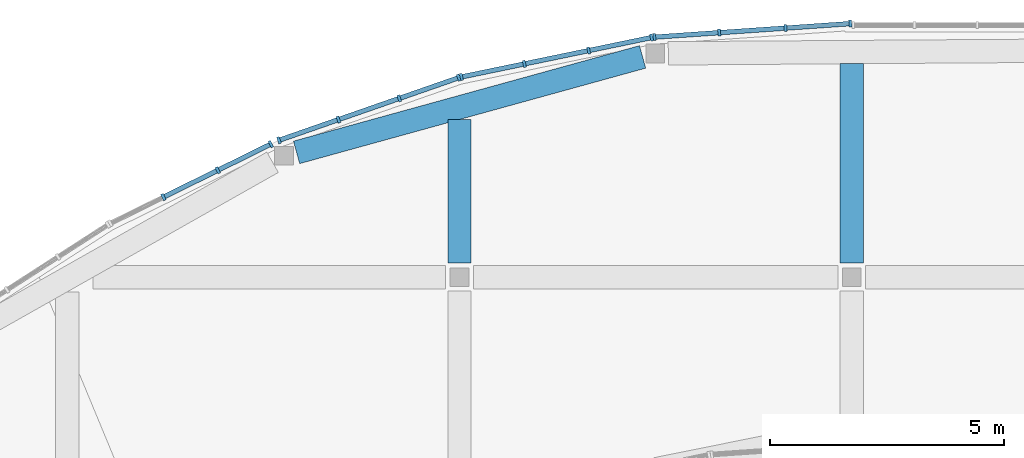
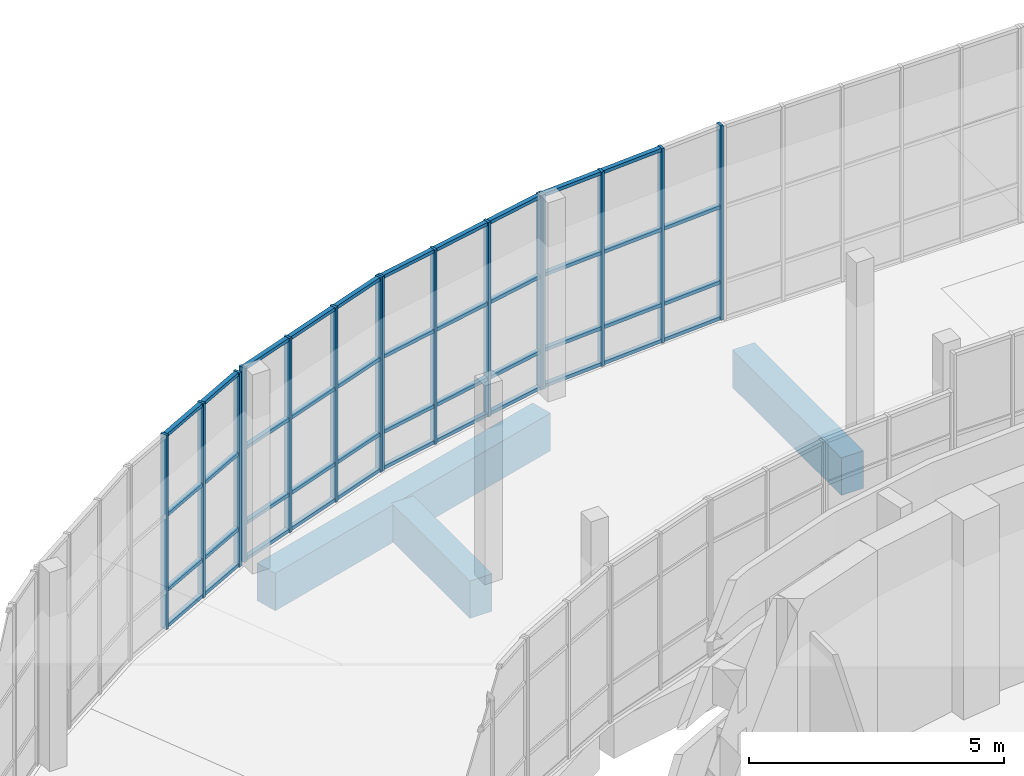
# One storey, part 30 of 103: 58 members, 3 beams, 4 elements without a shape of their own.
"""IFC4 building model written with IfcOpenShell, lengths in metres."""

from ifc_helpers import new_model, si_unit, direction, frame, origin, origin_2d, place, context, subcontext, project, spatial, rectangle, extrude, material, layer, layer_set, material_profile, profile_set, type_object, element, aggregate, save


model = new_model("IFC4")

# Units and contexts
model_context = context("Model", 3, precision=1e-05, world=origin(), true_north=direction((0.0, 1.0)))
body_context = subcontext(model_context, "Body", "Model", "MODEL_VIEW")
ifc_project = project(units=[si_unit("LENGTHUNIT", "METRE"), si_unit("AREAUNIT", "SQUARE_METRE"), si_unit("VOLUMEUNIT", "CUBIC_METRE"), si_unit("PLANEANGLEUNIT", "RADIAN"), si_unit("MASSUNIT", "GRAM", prefix="KILO")], contexts=[model_context])

# Site, building, storey
site_placement = place(None, origin())
site = spatial("IfcSite", under=ifc_project, at=site_placement, CompositionType="ELEMENT")
building_placement = place(site_placement, origin())
building = spatial("IfcBuilding", under=site, at=building_placement, Name="Larchfold Concert Hall", CompositionType="ELEMENT")
storey_placement = place(building_placement, frame((0.0, 0.0, 9.60009765625)))
storey = spatial("IfcBuildingStorey", under=building, at=storey_placement, Name="L02", CompositionType="ELEMENT", Elevation=9.60009765625)

# Curtain wall, members
ifc_material_1 = material(Name="Anodised graphite aluminium curtain wall", Category="aluminium")
ifc_layer = layer(ifc_material_1, 0.14990234375)
ifc_layer_set = layer_set([ifc_layer], Name="Anodised graphite aluminium curtain wall")
curtain_wall_type = type_object("IfcCurtainWallType", Name="Curtain wall WG", PredefinedType="NOTDEFINED", material=ifc_layer_set)
curtain_wall_1_placement = place(storey_placement, origin())
curtain_wall_1 = element("IfcCurtainWall", 1, at=curtain_wall_1_placement, inside=storey, type_object=curtain_wall_type, Name="Curtain wall CW0255", PredefinedType="NOTDEFINED")
ifc_material_2 = material(Name="Anodised graphite aluminium mullion", Category="aluminium")
ifc_material_profile_1 = material_profile(ifc_material_2, rectangle(XDim=0.14990234375, YDim=0.06005859375, at=origin_2d()))
ifc_profile_set_1 = profile_set([ifc_material_profile_1], Name="Anodised graphite aluminium mullion")
member_type_1 = type_object("IfcMemberType", Name="Aluminium mullion 60x150", PredefinedType="MULLION", material=ifc_profile_set_1)
member_1_placement = place(storey_placement, frame((42.570068359375, 132.030029296875, 0.0), z_axis=(0.0, 0.0, 1.0), x_axis=(0.068786379634, -0.997631411884, 0.0)))
member_1 = element("IfcMember", 2, at=member_1_placement, type_object=member_type_1, Name="CW0255 mullion 1", PredefinedType="MULLION", context=body_context, shape_type="SweptSolid", body=[
    extrude(rectangle(XDim=0.14990234375, YDim=0.06005859375, at=origin_2d()), origin(), (0.0, 0.0, 1.0), 4.64990234375),
])
member_2_placement = place(storey_placement, frame((41.181396484375, 131.93408203125, 0.0), z_axis=(0.0, 0.0, 1.0), x_axis=(0.068786379634, -0.997631411884, 0.0)))
member_2 = element("IfcMember", 3, at=member_2_placement, type_object=member_type_1, Name="CW0255 mullion 2", PredefinedType="MULLION", context=body_context, shape_type="SweptSolid", body=[
    extrude(rectangle(XDim=0.14990234375, YDim=0.06005859375, at=origin_2d()), origin(), (0.0, 0.0, 1.0), 4.64990234375),
])
member_3_placement = place(storey_placement, frame((39.7626953125, 131.83642578125, 0.0), z_axis=(0.0, 0.0, 1.0), x_axis=(0.068786379634, -0.997631411884, 0.0)))
member_3 = element("IfcMember", 4, at=member_3_placement, type_object=member_type_1, Name="CW0255 mullion 3", PredefinedType="MULLION", context=body_context, shape_type="SweptSolid", body=[
    extrude(rectangle(XDim=0.14990234375, YDim=0.06005859375, at=origin_2d()), origin(), (0.0, 0.0, 1.0), 4.64990234375),
])
member_4_placement = place(storey_placement, frame((38.3740234375, 131.740478515625, 0.0), z_axis=(0.0, 0.0, 1.0), x_axis=(0.068786379634, -0.997631411884, 0.0)))
member_4 = element("IfcMember", 5, at=member_4_placement, type_object=member_type_1, Name="CW0255 mullion 4", PredefinedType="MULLION", context=body_context, shape_type="SweptSolid", body=[
    extrude(rectangle(XDim=0.14990234375, YDim=0.06005859375, at=origin_2d()), origin(), (0.0, 0.0, 1.0), 4.64990234375),
])

curtain_wall_2_placement = place(storey_placement, origin())
curtain_wall_2 = element("IfcCurtainWall", 6, at=curtain_wall_2_placement, inside=storey, type_object=curtain_wall_type, Name="Curtain wall CW0256", PredefinedType="NOTDEFINED")
member_5_placement = place(storey_placement, frame((38.314697265625, 131.732421875, 0.0), z_axis=(0.0, 0.0, 1.0), x_axis=(0.203055255961, -0.979167280411, 0.0)))
member_5 = element("IfcMember", 7, at=member_5_placement, type_object=member_type_1, Name="CW0256 mullion 1", PredefinedType="MULLION", context=body_context, shape_type="SweptSolid", body=[
    extrude(rectangle(XDim=0.14990234375, YDim=0.06005859375, at=origin_2d()), origin(), (0.0, 0.0, 1.0), 4.64990234375),
])
member_6_placement = place(storey_placement, frame((36.967041015625, 131.452880859375, 0.0), z_axis=(0.0, 0.0, 1.0), x_axis=(0.203055255961, -0.979167280411, 0.0)))
member_6 = element("IfcMember", 8, at=member_6_placement, type_object=member_type_1, Name="CW0256 mullion 2", PredefinedType="MULLION", context=body_context, shape_type="SweptSolid", body=[
    extrude(rectangle(XDim=0.14990234375, YDim=0.06005859375, at=origin_2d()), origin(), (0.0, 0.0, 1.0), 4.64990234375),
])
member_7_placement = place(storey_placement, frame((35.58984375, 131.16748046875, 0.0), z_axis=(0.0, 0.0, 1.0), x_axis=(0.203055255961, -0.979167280411, 0.0)))
member_7 = element("IfcMember", 9, at=member_7_placement, type_object=member_type_1, Name="CW0256 mullion 3", PredefinedType="MULLION", context=body_context, shape_type="SweptSolid", body=[
    extrude(rectangle(XDim=0.14990234375, YDim=0.06005859375, at=origin_2d()), origin(), (0.0, 0.0, 1.0), 4.64990234375),
])
member_8_placement = place(storey_placement, frame((34.2421875, 130.887939453125, 0.0), z_axis=(0.0, 0.0, 1.0), x_axis=(0.203055255961, -0.979167280411, 0.0)))
member_8 = element("IfcMember", 10, at=member_8_placement, type_object=member_type_1, Name="CW0256 mullion 4", PredefinedType="MULLION", context=body_context, shape_type="SweptSolid", body=[
    extrude(rectangle(XDim=0.14990234375, YDim=0.06005859375, at=origin_2d()), origin(), (0.0, 0.0, 1.0), 4.64990234375),
])

curtain_wall_3_placement = place(storey_placement, origin())
curtain_wall_3 = element("IfcCurtainWall", 11, at=curtain_wall_3_placement, inside=storey, type_object=curtain_wall_type, Name="Curtain wall CW0257", PredefinedType="NOTDEFINED")
member_9_placement = place(storey_placement, frame((34.1845703125, 130.8720703125, 0.0), z_axis=(0.0, 0.0, 1.0), x_axis=(0.328898419395, -0.944365305229, 0.0)))
member_9 = element("IfcMember", 12, at=member_9_placement, type_object=member_type_1, Name="CW0257 mullion 1", PredefinedType="MULLION", context=body_context, shape_type="SweptSolid", body=[
    extrude(rectangle(XDim=0.14990234375, YDim=0.06005859375, at=origin_2d()), origin(), (0.0, 0.0, 1.0), 4.64990234375),
])
member_10_placement = place(storey_placement, frame((32.9111328125, 130.428466796875, 0.0), z_axis=(0.0, 0.0, 1.0), x_axis=(0.328898419395, -0.944365305229, 0.0)))
member_10 = element("IfcMember", 13, at=member_10_placement, type_object=member_type_1, Name="CW0257 mullion 2", PredefinedType="MULLION", context=body_context, shape_type="SweptSolid", body=[
    extrude(rectangle(XDim=0.14990234375, YDim=0.06005859375, at=origin_2d()), origin(), (0.0, 0.0, 1.0), 4.64990234375),
])
member_11_placement = place(storey_placement, frame((31.609375, 129.97509765625, 0.0), z_axis=(0.0, 0.0, 1.0), x_axis=(0.328898419395, -0.944365305229, 0.0)))
member_11 = element("IfcMember", 14, at=member_11_placement, type_object=member_type_1, Name="CW0257 mullion 3", PredefinedType="MULLION", context=body_context, shape_type="SweptSolid", body=[
    extrude(rectangle(XDim=0.14990234375, YDim=0.06005859375, at=origin_2d()), origin(), (0.0, 0.0, 1.0), 4.64990234375),
])
member_12_placement = place(storey_placement, frame((30.3359375, 129.531494140625, 0.0), z_axis=(0.0, 0.0, 1.0), x_axis=(0.328898419395, -0.944365305229, 0.0)))
member_12 = element("IfcMember", 15, at=member_12_placement, type_object=member_type_1, Name="CW0257 mullion 4", PredefinedType="MULLION", context=body_context, shape_type="SweptSolid", body=[
    extrude(rectangle(XDim=0.14990234375, YDim=0.06005859375, at=origin_2d()), origin(), (0.0, 0.0, 1.0), 4.64990234375),
])

curtain_wall_4_placement = place(storey_placement, origin())
curtain_wall_4 = element("IfcCurtainWall", 16, at=curtain_wall_4_placement, inside=storey, type_object=curtain_wall_type, Name="Curtain wall CW0258", PredefinedType="NOTDEFINED")
member_13_placement = place(storey_placement, frame((30.161376953125, 129.44970703125, 0.0), z_axis=(0.0, 0.0, 1.0), x_axis=(0.442389932773, -0.896822807126, 0.0)))
member_13 = element("IfcMember", 17, at=member_13_placement, type_object=member_type_1, Name="CW0258 mullion 1", PredefinedType="MULLION", context=body_context, shape_type="SweptSolid", body=[
    extrude(rectangle(XDim=0.14990234375, YDim=0.06005859375, at=origin_2d()), origin(), (0.0, 0.0, 1.0), 4.64990234375),
])
member_14_placement = place(storey_placement, frame((29.024658203125, 128.888916015625, 0.0), z_axis=(0.0, 0.0, 1.0), x_axis=(0.442389932773, -0.896822807126, 0.0)))
member_14 = element("IfcMember", 18, at=member_14_placement, type_object=member_type_1, Name="CW0258 mullion 2", PredefinedType="MULLION", context=body_context, shape_type="SweptSolid", body=[
    extrude(rectangle(XDim=0.14990234375, YDim=0.06005859375, at=origin_2d()), origin(), (0.0, 0.0, 1.0), 4.64990234375),
])
member_15_placement = place(storey_placement, frame((27.861083984375, 128.31494140625, 0.0), z_axis=(0.0, 0.0, 1.0), x_axis=(0.442389932773, -0.896822807126, 0.0)))
member_15 = element("IfcMember", 19, at=member_15_placement, type_object=member_type_1, Name="CW0258 mullion 3", PredefinedType="MULLION", context=body_context, shape_type="SweptSolid", body=[
    extrude(rectangle(XDim=0.14990234375, YDim=0.06005859375, at=origin_2d()), origin(), (0.0, 0.0, 1.0), 4.64990234375),
])

# Member
ifc_material_3 = material(Name="Anodised graphite aluminium transom", Category="aluminium")
ifc_material_profile_2 = material_profile(ifc_material_3, rectangle(XDim=0.10009765625, YDim=0.080078125, at=origin_2d()))
ifc_profile_set_2 = profile_set([ifc_material_profile_2], Name="Anodised graphite aluminium transom")
member_type_2 = type_object("IfcMemberType", Name="Aluminium transom 80x100", PredefinedType="USERDEFINED", material=ifc_profile_set_2)
member_16_placement = place(storey_placement, frame((42.540283203125, 132.02783203125, 0.0400390625), z_axis=(-0.997635098012, -0.068732897622, 0.0), x_axis=(0.068732897622, -0.997635098012, 0.0)))
member_16 = element("IfcMember", 20, at=member_16_placement, type_object=member_type_2, Name="CW0255 transom 1.1", ObjectType="TRANSOM", PredefinedType="USERDEFINED", context=body_context, shape_type="SweptSolid", body=[
    extrude(rectangle(XDim=0.10009765625, YDim=0.080078125, at=origin_2d()), origin(), (0.0, 0.0, 1.0), 1.33203125),
])

member_17_placement = place(storey_placement, frame((42.540283203125, 132.02783203125, 0.89990234375), z_axis=(-0.997635098012, -0.068732897622, 0.0), x_axis=(0.068732897622, -0.997635098012, 0.0)))
member_17 = element("IfcMember", 21, at=member_17_placement, type_object=member_type_2, Name="CW0255 transom 1.2", ObjectType="TRANSOM", PredefinedType="USERDEFINED", context=body_context, shape_type="SweptSolid", body=[
    extrude(rectangle(XDim=0.10009765625, YDim=0.080078125, at=origin_2d()), origin(), (0.0, 0.0, 1.0), 1.33203125),
])

member_18_placement = place(storey_placement, frame((42.540283203125, 132.02783203125, 2.699951171875), z_axis=(-0.997635098012, -0.068732897622, 0.0), x_axis=(0.068732897622, -0.997635098012, 0.0)))
member_18 = element("IfcMember", 22, at=member_18_placement, type_object=member_type_2, Name="CW0255 transom 1.3", ObjectType="TRANSOM", PredefinedType="USERDEFINED", context=body_context, shape_type="SweptSolid", body=[
    extrude(rectangle(XDim=0.10009765625, YDim=0.080078125, at=origin_2d()), origin(), (0.0, 0.0, 1.0), 1.33203125),
])

member_19_placement = place(storey_placement, frame((41.1513671875, 131.93212890625, 0.0400390625), z_axis=(-0.997627781919, -0.068839005976, 0.0), x_axis=(0.068839005976, -0.997627781919, 0.0)))
member_19 = element("IfcMember", 23, at=member_19_placement, type_object=member_type_2, Name="CW0255 transom 2.1", ObjectType="TRANSOM", PredefinedType="USERDEFINED", context=body_context, shape_type="SweptSolid", body=[
    extrude(rectangle(XDim=0.10009765625, YDim=0.080078125, at=origin_2d()), origin(), (0.0, 0.0, 1.0), 1.36181640625),
])

member_20_placement = place(storey_placement, frame((41.1513671875, 131.93212890625, 0.89990234375), z_axis=(-0.997627781919, -0.068839005976, 0.0), x_axis=(0.068839005976, -0.997627781919, 0.0)))
member_20 = element("IfcMember", 24, at=member_20_placement, type_object=member_type_2, Name="CW0255 transom 2.2", ObjectType="TRANSOM", PredefinedType="USERDEFINED", context=body_context, shape_type="SweptSolid", body=[
    extrude(rectangle(XDim=0.10009765625, YDim=0.080078125, at=origin_2d()), origin(), (0.0, 0.0, 1.0), 1.36181640625),
])

member_21_placement = place(storey_placement, frame((41.1513671875, 131.93212890625, 2.699951171875), z_axis=(-0.997627781919, -0.068839005976, 0.0), x_axis=(0.068839005976, -0.997627781919, 0.0)))
member_21 = element("IfcMember", 25, at=member_21_placement, type_object=member_type_2, Name="CW0255 transom 2.3", ObjectType="TRANSOM", PredefinedType="USERDEFINED", context=body_context, shape_type="SweptSolid", body=[
    extrude(rectangle(XDim=0.10009765625, YDim=0.080078125, at=origin_2d()), origin(), (0.0, 0.0, 1.0), 1.36181640625),
])

member_22_placement = place(storey_placement, frame((41.1513671875, 131.93212890625, 4.60986328125), z_axis=(-0.997627781919, -0.068839005976, 0.0), x_axis=(0.068839005976, -0.997627781919, 0.0)))
member_22 = element("IfcMember", 26, at=member_22_placement, type_object=member_type_2, Name="CW0255 transom 2.4", ObjectType="TRANSOM", PredefinedType="USERDEFINED", context=body_context, shape_type="SweptSolid", body=[
    extrude(rectangle(XDim=0.10009765625, YDim=0.080078125, at=origin_2d()), origin(), (0.0, 0.0, 1.0), 1.36181640625),
])

member_23_placement = place(storey_placement, frame((39.732666015625, 131.834228515625, 0.0400390625), z_axis=(-0.997635098012, -0.068732897622, 0.0), x_axis=(0.068732897622, -0.997635098012, 0.0)))
member_23 = element("IfcMember", 27, at=member_23_placement, type_object=member_type_2, Name="CW0255 transom 3.1", ObjectType="TRANSOM", PredefinedType="USERDEFINED", context=body_context, shape_type="SweptSolid", body=[
    extrude(rectangle(XDim=0.10009765625, YDim=0.080078125, at=origin_2d()), origin(), (0.0, 0.0, 1.0), 1.33203125),
])

member_24_placement = place(storey_placement, frame((39.732666015625, 131.834228515625, 0.89990234375), z_axis=(-0.997635098012, -0.068732897622, 0.0), x_axis=(0.068732897622, -0.997635098012, 0.0)))
member_24 = element("IfcMember", 28, at=member_24_placement, type_object=member_type_2, Name="CW0255 transom 3.2", ObjectType="TRANSOM", PredefinedType="USERDEFINED", context=body_context, shape_type="SweptSolid", body=[
    extrude(rectangle(XDim=0.10009765625, YDim=0.080078125, at=origin_2d()), origin(), (0.0, 0.0, 1.0), 1.33203125),
])

member_25_placement = place(storey_placement, frame((39.732666015625, 131.834228515625, 2.699951171875), z_axis=(-0.997635098012, -0.068732897622, 0.0), x_axis=(0.068732897622, -0.997635098012, 0.0)))
member_25 = element("IfcMember", 29, at=member_25_placement, type_object=member_type_2, Name="CW0255 transom 3.3", ObjectType="TRANSOM", PredefinedType="USERDEFINED", context=body_context, shape_type="SweptSolid", body=[
    extrude(rectangle(XDim=0.10009765625, YDim=0.080078125, at=origin_2d()), origin(), (0.0, 0.0, 1.0), 1.33203125),
])

member_26_placement = place(storey_placement, frame((39.732666015625, 131.834228515625, 4.60986328125), z_axis=(-0.997635098012, -0.068732897622, 0.0), x_axis=(0.068732897622, -0.997635098012, 0.0)))
member_26 = element("IfcMember", 30, at=member_26_placement, type_object=member_type_2, Name="CW0255 transom 3.4", ObjectType="TRANSOM", PredefinedType="USERDEFINED", context=body_context, shape_type="SweptSolid", body=[
    extrude(rectangle(XDim=0.10009765625, YDim=0.080078125, at=origin_2d()), origin(), (0.0, 0.0, 1.0), 1.33203125),
])

aggregate(curtain_wall_1, [member_1, member_2, member_3, member_4, member_16, member_17, member_18, member_19, member_20, member_21, member_22, member_23, member_24, member_25, member_26])

member_27_placement = place(storey_placement, frame((38.28515625, 131.726318359375, 0.0400390625), z_axis=(-0.979157506633, -0.203102381088, 0.0), x_axis=(0.203102381088, -0.979157506633, 0.0)))
member_27 = element("IfcMember", 31, at=member_27_placement, type_object=member_type_2, Name="CW0256 transom 1.1", ObjectType="TRANSOM", PredefinedType="USERDEFINED", context=body_context, shape_type="SweptSolid", body=[
    extrude(rectangle(XDim=0.10009765625, YDim=0.080078125, at=origin_2d()), origin(), (0.0, 0.0, 1.0), 1.316162109375),
])

member_28_placement = place(storey_placement, frame((38.28515625, 131.726318359375, 0.89990234375), z_axis=(-0.979157506633, -0.203102381088, 0.0), x_axis=(0.203102381088, -0.979157506633, 0.0)))
member_28 = element("IfcMember", 32, at=member_28_placement, type_object=member_type_2, Name="CW0256 transom 1.2", ObjectType="TRANSOM", PredefinedType="USERDEFINED", context=body_context, shape_type="SweptSolid", body=[
    extrude(rectangle(XDim=0.10009765625, YDim=0.080078125, at=origin_2d()), origin(), (0.0, 0.0, 1.0), 1.316162109375),
])

member_29_placement = place(storey_placement, frame((38.28515625, 131.726318359375, 2.699951171875), z_axis=(-0.979157506633, -0.203102381088, 0.0), x_axis=(0.203102381088, -0.979157506633, 0.0)))
member_29 = element("IfcMember", 33, at=member_29_placement, type_object=member_type_2, Name="CW0256 transom 1.3", ObjectType="TRANSOM", PredefinedType="USERDEFINED", context=body_context, shape_type="SweptSolid", body=[
    extrude(rectangle(XDim=0.10009765625, YDim=0.080078125, at=origin_2d()), origin(), (0.0, 0.0, 1.0), 1.316162109375),
])

member_30_placement = place(storey_placement, frame((38.28515625, 131.726318359375, 4.60986328125), z_axis=(-0.979157506633, -0.203102381088, 0.0), x_axis=(0.203102381088, -0.979157506633, 0.0)))
member_30 = element("IfcMember", 34, at=member_30_placement, type_object=member_type_2, Name="CW0256 transom 1.4", ObjectType="TRANSOM", PredefinedType="USERDEFINED", context=body_context, shape_type="SweptSolid", body=[
    extrude(rectangle(XDim=0.10009765625, YDim=0.080078125, at=origin_2d()), origin(), (0.0, 0.0, 1.0), 1.316162109375),
])

member_31_placement = place(storey_placement, frame((36.9375, 131.44677734375, 0.0400390625), z_axis=(-0.979189633695, -0.20294743473, 0.0), x_axis=(0.20294743473, -0.979189633695, 0.0)))
member_31 = element("IfcMember", 35, at=member_31_placement, type_object=member_type_2, Name="CW0256 transom 2.1", ObjectType="TRANSOM", PredefinedType="USERDEFINED", context=body_context, shape_type="SweptSolid", body=[
    extrude(rectangle(XDim=0.10009765625, YDim=0.080078125, at=origin_2d()), origin(), (0.0, 0.0, 1.0), 1.34619140625),
])

member_32_placement = place(storey_placement, frame((36.9375, 131.44677734375, 0.89990234375), z_axis=(-0.979189633695, -0.20294743473, 0.0), x_axis=(0.20294743473, -0.979189633695, 0.0)))
member_32 = element("IfcMember", 36, at=member_32_placement, type_object=member_type_2, Name="CW0256 transom 2.2", ObjectType="TRANSOM", PredefinedType="USERDEFINED", context=body_context, shape_type="SweptSolid", body=[
    extrude(rectangle(XDim=0.10009765625, YDim=0.080078125, at=origin_2d()), origin(), (0.0, 0.0, 1.0), 1.34619140625),
])

member_33_placement = place(storey_placement, frame((36.9375, 131.44677734375, 2.699951171875), z_axis=(-0.979189633695, -0.20294743473, 0.0), x_axis=(0.20294743473, -0.979189633695, 0.0)))
member_33 = element("IfcMember", 37, at=member_33_placement, type_object=member_type_2, Name="CW0256 transom 2.3", ObjectType="TRANSOM", PredefinedType="USERDEFINED", context=body_context, shape_type="SweptSolid", body=[
    extrude(rectangle(XDim=0.10009765625, YDim=0.080078125, at=origin_2d()), origin(), (0.0, 0.0, 1.0), 1.34619140625),
])

member_34_placement = place(storey_placement, frame((36.9375, 131.44677734375, 4.60986328125), z_axis=(-0.979189633695, -0.20294743473, 0.0), x_axis=(0.20294743473, -0.979189633695, 0.0)))
member_34 = element("IfcMember", 38, at=member_34_placement, type_object=member_type_2, Name="CW0256 transom 2.4", ObjectType="TRANSOM", PredefinedType="USERDEFINED", context=body_context, shape_type="SweptSolid", body=[
    extrude(rectangle(XDim=0.10009765625, YDim=0.080078125, at=origin_2d()), origin(), (0.0, 0.0, 1.0), 1.34619140625),
])

member_35_placement = place(storey_placement, frame((35.560546875, 131.161376953125, 0.0400390625), z_axis=(-0.979157506633, -0.203102381088, 0.0), x_axis=(0.203102381088, -0.979157506633, 0.0)))
member_35 = element("IfcMember", 39, at=member_35_placement, type_object=member_type_2, Name="CW0256 transom 3.1", ObjectType="TRANSOM", PredefinedType="USERDEFINED", context=body_context, shape_type="SweptSolid", body=[
    extrude(rectangle(XDim=0.10009765625, YDim=0.080078125, at=origin_2d()), origin(), (0.0, 0.0, 1.0), 1.316162109375),
])

member_36_placement = place(storey_placement, frame((35.560546875, 131.161376953125, 0.89990234375), z_axis=(-0.979157506633, -0.203102381088, 0.0), x_axis=(0.203102381088, -0.979157506633, 0.0)))
member_36 = element("IfcMember", 40, at=member_36_placement, type_object=member_type_2, Name="CW0256 transom 3.2", ObjectType="TRANSOM", PredefinedType="USERDEFINED", context=body_context, shape_type="SweptSolid", body=[
    extrude(rectangle(XDim=0.10009765625, YDim=0.080078125, at=origin_2d()), origin(), (0.0, 0.0, 1.0), 1.316162109375),
])

member_37_placement = place(storey_placement, frame((35.560546875, 131.161376953125, 2.699951171875), z_axis=(-0.979157506633, -0.203102381088, 0.0), x_axis=(0.203102381088, -0.979157506633, 0.0)))
member_37 = element("IfcMember", 41, at=member_37_placement, type_object=member_type_2, Name="CW0256 transom 3.3", ObjectType="TRANSOM", PredefinedType="USERDEFINED", context=body_context, shape_type="SweptSolid", body=[
    extrude(rectangle(XDim=0.10009765625, YDim=0.080078125, at=origin_2d()), origin(), (0.0, 0.0, 1.0), 1.316162109375),
])

member_38_placement = place(storey_placement, frame((35.560546875, 131.161376953125, 4.60986328125), z_axis=(-0.979157506633, -0.203102381088, 0.0), x_axis=(0.203102381088, -0.979157506633, 0.0)))
member_38 = element("IfcMember", 42, at=member_38_placement, type_object=member_type_2, Name="CW0256 transom 3.4", ObjectType="TRANSOM", PredefinedType="USERDEFINED", context=body_context, shape_type="SweptSolid", body=[
    extrude(rectangle(XDim=0.10009765625, YDim=0.080078125, at=origin_2d()), origin(), (0.0, 0.0, 1.0), 1.316162109375),
])

aggregate(curtain_wall_2, [member_5, member_6, member_7, member_8, member_27, member_28, member_29, member_30, member_31, member_32, member_33, member_34, member_35, member_36, member_37, member_38])

member_39_placement = place(storey_placement, frame((34.15625, 130.862060546875, 0.0400390625), z_axis=(-0.944353560817, -0.328932139161, 0.0), x_axis=(0.328932139161, -0.944353560817, 0.0)))
member_39 = element("IfcMember", 43, at=member_39_placement, type_object=member_type_2, Name="CW0257 transom 1.1", ObjectType="TRANSOM", PredefinedType="USERDEFINED", context=body_context, shape_type="SweptSolid", body=[
    extrude(rectangle(XDim=0.10009765625, YDim=0.080078125, at=origin_2d()), origin(), (0.0, 0.0, 1.0), 1.28857421875),
])

member_40_placement = place(storey_placement, frame((34.15625, 130.862060546875, 0.89990234375), z_axis=(-0.944353560817, -0.328932139161, 0.0), x_axis=(0.328932139161, -0.944353560817, 0.0)))
member_40 = element("IfcMember", 44, at=member_40_placement, type_object=member_type_2, Name="CW0257 transom 1.2", ObjectType="TRANSOM", PredefinedType="USERDEFINED", context=body_context, shape_type="SweptSolid", body=[
    extrude(rectangle(XDim=0.10009765625, YDim=0.080078125, at=origin_2d()), origin(), (0.0, 0.0, 1.0), 1.28857421875),
])

member_41_placement = place(storey_placement, frame((34.15625, 130.862060546875, 2.699951171875), z_axis=(-0.944353560817, -0.328932139161, 0.0), x_axis=(0.328932139161, -0.944353560817, 0.0)))
member_41 = element("IfcMember", 45, at=member_41_placement, type_object=member_type_2, Name="CW0257 transom 1.3", ObjectType="TRANSOM", PredefinedType="USERDEFINED", context=body_context, shape_type="SweptSolid", body=[
    extrude(rectangle(XDim=0.10009765625, YDim=0.080078125, at=origin_2d()), origin(), (0.0, 0.0, 1.0), 1.28857421875),
])

member_42_placement = place(storey_placement, frame((34.15625, 130.862060546875, 4.60986328125), z_axis=(-0.944353560817, -0.328932139161, 0.0), x_axis=(0.328932139161, -0.944353560817, 0.0)))
member_42 = element("IfcMember", 46, at=member_42_placement, type_object=member_type_2, Name="CW0257 transom 1.4", ObjectType="TRANSOM", PredefinedType="USERDEFINED", context=body_context, shape_type="SweptSolid", body=[
    extrude(rectangle(XDim=0.10009765625, YDim=0.080078125, at=origin_2d()), origin(), (0.0, 0.0, 1.0), 1.28857421875),
])

member_43_placement = place(storey_placement, frame((32.8828125, 130.418701171875, 0.0400390625), z_axis=(-0.944319304521, -0.329030471399, 0.0), x_axis=(0.329030471399, -0.944319304521, 0.0)))
member_43 = element("IfcMember", 47, at=member_43_placement, type_object=member_type_2, Name="CW0257 transom 2.1", ObjectType="TRANSOM", PredefinedType="USERDEFINED", context=body_context, shape_type="SweptSolid", body=[
    extrude(rectangle(XDim=0.10009765625, YDim=0.080078125, at=origin_2d()), origin(), (0.0, 0.0, 1.0), 1.318603515625),
])

member_44_placement = place(storey_placement, frame((32.8828125, 130.418701171875, 0.89990234375), z_axis=(-0.944319304521, -0.329030471399, 0.0), x_axis=(0.329030471399, -0.944319304521, 0.0)))
member_44 = element("IfcMember", 48, at=member_44_placement, type_object=member_type_2, Name="CW0257 transom 2.2", ObjectType="TRANSOM", PredefinedType="USERDEFINED", context=body_context, shape_type="SweptSolid", body=[
    extrude(rectangle(XDim=0.10009765625, YDim=0.080078125, at=origin_2d()), origin(), (0.0, 0.0, 1.0), 1.318603515625),
])

member_45_placement = place(storey_placement, frame((32.8828125, 130.418701171875, 2.699951171875), z_axis=(-0.944319304521, -0.329030471399, 0.0), x_axis=(0.329030471399, -0.944319304521, 0.0)))
member_45 = element("IfcMember", 49, at=member_45_placement, type_object=member_type_2, Name="CW0257 transom 2.3", ObjectType="TRANSOM", PredefinedType="USERDEFINED", context=body_context, shape_type="SweptSolid", body=[
    extrude(rectangle(XDim=0.10009765625, YDim=0.080078125, at=origin_2d()), origin(), (0.0, 0.0, 1.0), 1.318603515625),
])

member_46_placement = place(storey_placement, frame((32.8828125, 130.418701171875, 4.60986328125), z_axis=(-0.944319304521, -0.329030471399, 0.0), x_axis=(0.329030471399, -0.944319304521, 0.0)))
member_46 = element("IfcMember", 50, at=member_46_placement, type_object=member_type_2, Name="CW0257 transom 2.4", ObjectType="TRANSOM", PredefinedType="USERDEFINED", context=body_context, shape_type="SweptSolid", body=[
    extrude(rectangle(XDim=0.10009765625, YDim=0.080078125, at=origin_2d()), origin(), (0.0, 0.0, 1.0), 1.318603515625),
])

member_47_placement = place(storey_placement, frame((31.5810546875, 129.96533203125, 0.0400390625), z_axis=(-0.944353560817, -0.328932139161, 0.0), x_axis=(0.328932139161, -0.944353560817, 0.0)))
member_47 = element("IfcMember", 51, at=member_47_placement, type_object=member_type_2, Name="CW0257 transom 3.1", ObjectType="TRANSOM", PredefinedType="USERDEFINED", context=body_context, shape_type="SweptSolid", body=[
    extrude(rectangle(XDim=0.10009765625, YDim=0.080078125, at=origin_2d()), origin(), (0.0, 0.0, 1.0), 1.28857421875),
])

member_48_placement = place(storey_placement, frame((31.5810546875, 129.96533203125, 0.89990234375), z_axis=(-0.944353560817, -0.328932139161, 0.0), x_axis=(0.328932139161, -0.944353560817, 0.0)))
member_48 = element("IfcMember", 52, at=member_48_placement, type_object=member_type_2, Name="CW0257 transom 3.2", ObjectType="TRANSOM", PredefinedType="USERDEFINED", context=body_context, shape_type="SweptSolid", body=[
    extrude(rectangle(XDim=0.10009765625, YDim=0.080078125, at=origin_2d()), origin(), (0.0, 0.0, 1.0), 1.28857421875),
])

member_49_placement = place(storey_placement, frame((31.5810546875, 129.96533203125, 2.699951171875), z_axis=(-0.944353560817, -0.328932139161, 0.0), x_axis=(0.328932139161, -0.944353560817, 0.0)))
member_49 = element("IfcMember", 53, at=member_49_placement, type_object=member_type_2, Name="CW0257 transom 3.3", ObjectType="TRANSOM", PredefinedType="USERDEFINED", context=body_context, shape_type="SweptSolid", body=[
    extrude(rectangle(XDim=0.10009765625, YDim=0.080078125, at=origin_2d()), origin(), (0.0, 0.0, 1.0), 1.28857421875),
])

member_50_placement = place(storey_placement, frame((31.5810546875, 129.96533203125, 4.60986328125), z_axis=(-0.944353560817, -0.328932139161, 0.0), x_axis=(0.328932139161, -0.944353560817, 0.0)))
member_50 = element("IfcMember", 54, at=member_50_placement, type_object=member_type_2, Name="CW0257 transom 3.4", ObjectType="TRANSOM", PredefinedType="USERDEFINED", context=body_context, shape_type="SweptSolid", body=[
    extrude(rectangle(XDim=0.10009765625, YDim=0.080078125, at=origin_2d()), origin(), (0.0, 0.0, 1.0), 1.28857421875),
])

aggregate(curtain_wall_3, [member_9, member_10, member_11, member_12, member_39, member_40, member_41, member_42, member_43, member_44, member_45, member_46, member_47, member_48, member_49, member_50])

member_51_placement = place(storey_placement, frame((30.134521484375, 129.436279296875, 0.0400390625), z_axis=(-0.896840107572, -0.44235485919, 0.0), x_axis=(0.44235485919, -0.896840107572, 0.0)))
member_51 = element("IfcMember", 55, at=member_51_placement, type_object=member_type_2, Name="CW0258 transom 1.1", ObjectType="TRANSOM", PredefinedType="USERDEFINED", context=body_context, shape_type="SweptSolid", body=[
    extrude(rectangle(XDim=0.10009765625, YDim=0.080078125, at=origin_2d()), origin(), (0.0, 0.0, 1.0), 1.20751953125),
])

member_52_placement = place(storey_placement, frame((30.134521484375, 129.436279296875, 0.89990234375), z_axis=(-0.896840107572, -0.44235485919, 0.0), x_axis=(0.44235485919, -0.896840107572, 0.0)))
member_52 = element("IfcMember", 56, at=member_52_placement, type_object=member_type_2, Name="CW0258 transom 1.2", ObjectType="TRANSOM", PredefinedType="USERDEFINED", context=body_context, shape_type="SweptSolid", body=[
    extrude(rectangle(XDim=0.10009765625, YDim=0.080078125, at=origin_2d()), origin(), (0.0, 0.0, 1.0), 1.20751953125),
])

member_53_placement = place(storey_placement, frame((30.134521484375, 129.436279296875, 2.699951171875), z_axis=(-0.896840107572, -0.44235485919, 0.0), x_axis=(0.44235485919, -0.896840107572, 0.0)))
member_53 = element("IfcMember", 57, at=member_53_placement, type_object=member_type_2, Name="CW0258 transom 1.3", ObjectType="TRANSOM", PredefinedType="USERDEFINED", context=body_context, shape_type="SweptSolid", body=[
    extrude(rectangle(XDim=0.10009765625, YDim=0.080078125, at=origin_2d()), origin(), (0.0, 0.0, 1.0), 1.20751953125),
])

member_54_placement = place(storey_placement, frame((30.134521484375, 129.436279296875, 4.60986328125), z_axis=(-0.896840107572, -0.44235485919, 0.0), x_axis=(0.44235485919, -0.896840107572, 0.0)))
member_54 = element("IfcMember", 58, at=member_54_placement, type_object=member_type_2, Name="CW0258 transom 1.4", ObjectType="TRANSOM", PredefinedType="USERDEFINED", context=body_context, shape_type="SweptSolid", body=[
    extrude(rectangle(XDim=0.10009765625, YDim=0.080078125, at=origin_2d()), origin(), (0.0, 0.0, 1.0), 1.20751953125),
])

member_55_placement = place(storey_placement, frame((28.997802734375, 128.875732421875, 0.0400390625), z_axis=(-0.896781880687, -0.442472890097, 0.0), x_axis=(0.442472890097, -0.896781880687, 0.0)))
member_55 = element("IfcMember", 59, at=member_55_placement, type_object=member_type_2, Name="CW0258 transom 2.1", ObjectType="TRANSOM", PredefinedType="USERDEFINED", context=body_context, shape_type="SweptSolid", body=[
    extrude(rectangle(XDim=0.10009765625, YDim=0.080078125, at=origin_2d()), origin(), (0.0, 0.0, 1.0), 1.237548828125),
])

member_56_placement = place(storey_placement, frame((28.997802734375, 128.875732421875, 0.89990234375), z_axis=(-0.896781880687, -0.442472890097, 0.0), x_axis=(0.442472890097, -0.896781880687, 0.0)))
member_56 = element("IfcMember", 60, at=member_56_placement, type_object=member_type_2, Name="CW0258 transom 2.2", ObjectType="TRANSOM", PredefinedType="USERDEFINED", context=body_context, shape_type="SweptSolid", body=[
    extrude(rectangle(XDim=0.10009765625, YDim=0.080078125, at=origin_2d()), origin(), (0.0, 0.0, 1.0), 1.237548828125),
])

member_57_placement = place(storey_placement, frame((28.997802734375, 128.875732421875, 2.699951171875), z_axis=(-0.896781880687, -0.442472890097, 0.0), x_axis=(0.442472890097, -0.896781880687, 0.0)))
member_57 = element("IfcMember", 61, at=member_57_placement, type_object=member_type_2, Name="CW0258 transom 2.3", ObjectType="TRANSOM", PredefinedType="USERDEFINED", context=body_context, shape_type="SweptSolid", body=[
    extrude(rectangle(XDim=0.10009765625, YDim=0.080078125, at=origin_2d()), origin(), (0.0, 0.0, 1.0), 1.237548828125),
])

member_58_placement = place(storey_placement, frame((28.997802734375, 128.875732421875, 4.60986328125), z_axis=(-0.896781880687, -0.442472890097, 0.0), x_axis=(0.442472890097, -0.896781880687, 0.0)))
member_58 = element("IfcMember", 62, at=member_58_placement, type_object=member_type_2, Name="CW0258 transom 2.4", ObjectType="TRANSOM", PredefinedType="USERDEFINED", context=body_context, shape_type="SweptSolid", body=[
    extrude(rectangle(XDim=0.10009765625, YDim=0.080078125, at=origin_2d()), origin(), (0.0, 0.0, 1.0), 1.237548828125),
])

aggregate(curtain_wall_4, [member_13, member_14, member_15, member_51, member_52, member_53, member_54, member_55, member_56, member_57, member_58])

# Beams
ifc_material_4 = material(Name="Concrete C35/45", Category="concrete")
ifc_material_profile_3 = material_profile(ifc_material_4, rectangle(XDim=0.5, YDim=0.89990234375, at=origin_2d()))
ifc_profile_set_3 = profile_set([ifc_material_profile_3], Name="Concrete C35/45")
beam_type = type_object("IfcBeamType", Name="Beam RC 500x900", PredefinedType="BEAM", material=ifc_profile_set_3)
beam_1_placement = place(storey_placement, frame((30.712890625, 129.2724609375, -0.60009765625), z_axis=(0.963983351567, 0.265962587409, 0.0), x_axis=(-0.265962587409, 0.963983351567, 0.0)))
element("IfcBeam", 63, at=beam_1_placement, inside=storey, type_object=beam_type, Name="Beam B1948", PredefinedType="BEAM", context=body_context, shape_type="SweptSolid", body=[
    extrude(rectangle(XDim=0.5, YDim=0.89990234375, at=origin_2d()), origin(), (0.0, 0.0, 1.0), 7.68603515625),
])
beam_2_placement = place(storey_placement, frame((34.199951171875, 126.898681640625, -0.60009765625), z_axis=(0.0, 1.0, 0.0), x_axis=(-1.0, 0.0, 0.0)))
element("IfcBeam", 64, at=beam_2_placement, inside=storey, type_object=beam_type, Name="Beam B1972", PredefinedType="BEAM", context=body_context, shape_type="SweptSolid", body=[
    extrude(rectangle(XDim=0.5, YDim=0.89990234375, at=origin_2d()), origin(), (0.0, 0.0, 1.0), 3.076416015625),
])
beam_3_placement = place(storey_placement, frame((42.60009765625, 126.898681640625, -0.60009765625), z_axis=(0.0, 1.0, 0.0), x_axis=(-1.0, 0.0, 0.0)))
element("IfcBeam", 65, at=beam_3_placement, inside=storey, type_object=beam_type, Name="Beam B1974", PredefinedType="BEAM", context=body_context, shape_type="SweptSolid", body=[
    extrude(rectangle(XDim=0.5, YDim=0.89990234375, at=origin_2d()), origin(), (0.0, 0.0, 1.0), 4.271484375),
])

save(model, "model.ifc")
